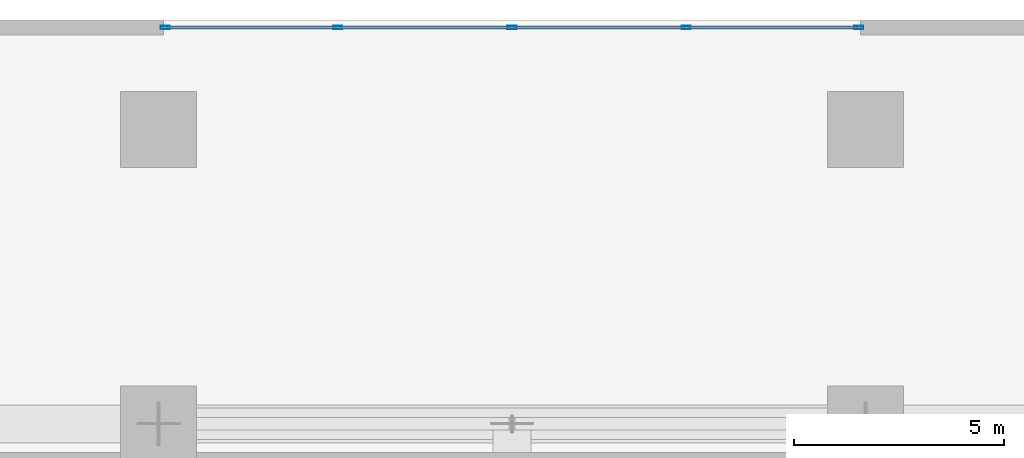
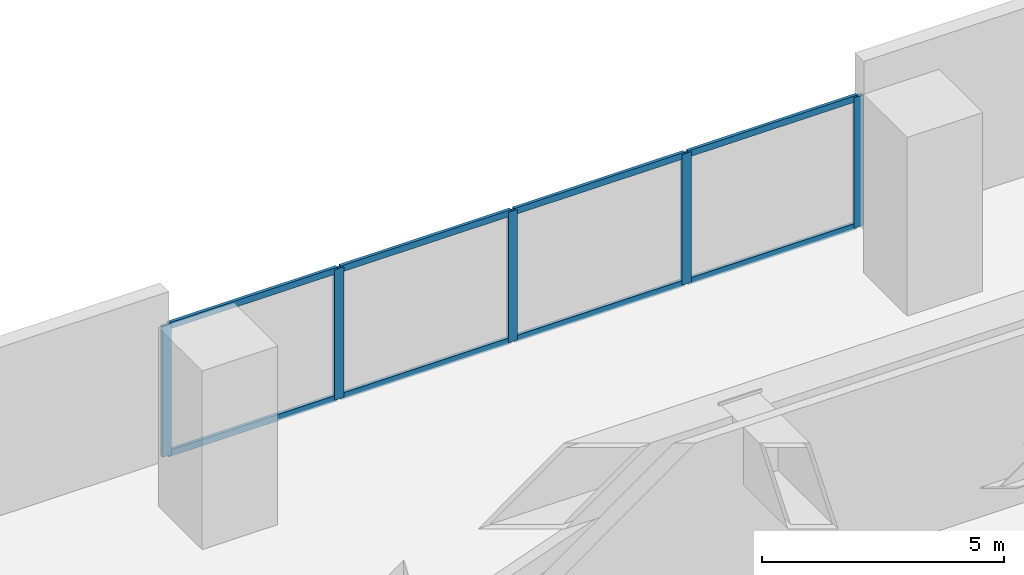
# One storey, part 7 of 25: 13 members, 1 element without a shape of its own.
"""IFC4 building model written with IfcOpenShell, lengths in metres."""

from ifc_helpers import new_model, si_unit, direction, frame, origin, origin_2d, place, context, subcontext, project, spatial, hollow_rectangle, extrude, material, layer, layer_set, material_profile, profile_set, type_object, element, aggregate, save


model = new_model("IFC4")

# Units and contexts
model_context = context("Model", 3, precision=1e-05, world=origin(), true_north=direction((0.0, 1.0)))
body_context = subcontext(model_context, "Body", "Model", "MODEL_VIEW")
ifc_project = project(units=[si_unit("LENGTHUNIT", "METRE"), si_unit("AREAUNIT", "SQUARE_METRE"), si_unit("VOLUMEUNIT", "CUBIC_METRE"), si_unit("PLANEANGLEUNIT", "RADIAN"), si_unit("MASSUNIT", "GRAM", prefix="KILO")], contexts=[model_context])

# Site, building, storey
site_placement = place(None, origin())
site = spatial("IfcSite", under=ifc_project, at=site_placement, CompositionType="ELEMENT")
building_placement = place(site_placement, origin())
building = spatial("IfcBuilding", under=site, at=building_placement, Name="Kiyonajd Concourse Tower", CompositionType="ELEMENT")
storey_placement = place(building_placement, frame((0.0, 0.0, 17.10009765625)))
storey = spatial("IfcBuildingStorey", under=building, at=storey_placement, Name="L05", CompositionType="ELEMENT", Elevation=17.10009765625)

# Curtain wall, members
ifc_material = material(Name="Thermally Broken Anodised Aluminium", Category="aluminium")
ifc_layer = layer(ifc_material, 0.179931640625)
ifc_layer_set = layer_set([ifc_layer], Name="Thermally Broken Anodised Aluminium")
curtain_wall_type = type_object("IfcCurtainWallType", Name="CW-SYS-01", PredefinedType="NOTDEFINED", material=ifc_layer_set)
curtain_wall_placement = place(storey_placement, origin())
curtain_wall = element("IfcCurtainWall", 1, at=curtain_wall_placement, inside=storey, type_object=curtain_wall_type, Name="L05 Unitised Curtain Wall CW1", PredefinedType="NOTDEFINED")
ifc_material_profile_1 = material_profile(ifc_material, hollow_rectangle(XDim=0.074951171875, YDim=0.219970703125, WallThickness=0.0048828125, at=origin_2d()), Name="MULL-75x220")
ifc_profile_set_1 = profile_set([ifc_material_profile_1], Name="Thermally Broken Anodised Aluminium")
member_type_1 = type_object("IfcMemberType", Name="MB-CW-MULL2", PredefinedType="MULLION", material=ifc_profile_set_1)
member_1_placement = place(storey_placement, frame((39.757568359375, 71.820068359375, 0.0), z_axis=(0.0, 0.0, 1.0), x_axis=(0.0, 1.0, 0.0)))
member_1 = element("IfcMember", 2, at=member_1_placement, type_object=member_type_1, Name="CW1 mullion 1", PredefinedType="MULLION", context=body_context, shape_type="SweptSolid", body=[
    extrude(hollow_rectangle(XDim=0.074951171875, YDim=0.219970703125, WallThickness=0.0048828125, at=origin_2d()), origin(), (0.0, 0.0, 1.0), 3.289794921875),
])
member_2_placement = place(storey_placement, frame((43.860107421875, 71.820068359375, 0.0), z_axis=(0.0, 0.0, 1.0), x_axis=(0.0, 1.0, 0.0)))
member_2 = element("IfcMember", 3, at=member_2_placement, type_object=member_type_1, Name="CW1 mullion 2", PredefinedType="MULLION", context=body_context, shape_type="SweptSolid", body=[
    extrude(hollow_rectangle(XDim=0.074951171875, YDim=0.219970703125, WallThickness=0.0048828125, at=origin_2d()), origin(), (0.0, 0.0, 1.0), 3.289794921875),
])
member_3_placement = place(storey_placement, frame((48.0, 71.820068359375, 0.0), z_axis=(0.0, 0.0, 1.0), x_axis=(0.0, 1.0, 0.0)))
member_3 = element("IfcMember", 4, at=member_3_placement, type_object=member_type_1, Name="CW1 mullion 3", PredefinedType="MULLION", context=body_context, shape_type="SweptSolid", body=[
    extrude(hollow_rectangle(XDim=0.074951171875, YDim=0.219970703125, WallThickness=0.0048828125, at=origin_2d()), origin(), (0.0, 0.0, 1.0), 3.289794921875),
])
member_4_placement = place(storey_placement, frame((52.139892578125, 71.820068359375, 0.0), z_axis=(0.0, 0.0, 1.0), x_axis=(0.0, 1.0, 0.0)))
member_4 = element("IfcMember", 5, at=member_4_placement, type_object=member_type_1, Name="CW1 mullion 4", PredefinedType="MULLION", context=body_context, shape_type="SweptSolid", body=[
    extrude(hollow_rectangle(XDim=0.074951171875, YDim=0.219970703125, WallThickness=0.0048828125, at=origin_2d()), origin(), (0.0, 0.0, 1.0), 3.289794921875),
])
member_5_placement = place(storey_placement, frame((56.242431640625, 71.820068359375, 0.0), z_axis=(0.0, 0.0, 1.0), x_axis=(0.0, 1.0, 0.0)))
member_5 = element("IfcMember", 6, at=member_5_placement, type_object=member_type_1, Name="CW1 mullion 5", PredefinedType="MULLION", context=body_context, shape_type="SweptSolid", body=[
    extrude(hollow_rectangle(XDim=0.074951171875, YDim=0.219970703125, WallThickness=0.0048828125, at=origin_2d()), origin(), (0.0, 0.0, 1.0), 3.289794921875),
])
ifc_material_profile_2 = material_profile(ifc_material, hollow_rectangle(XDim=0.074951171875, YDim=0.159912109375, WallThickness=0.0048828125, at=origin_2d()), Name="TRAN-75x160")
ifc_profile_set_2 = profile_set([ifc_material_profile_2], Name="Thermally Broken Anodised Aluminium")
member_type_2 = type_object("IfcMemberType", Name="MB-CW-TRAN2", PredefinedType="USERDEFINED", material=ifc_profile_set_2)
member_6_placement = place(storey_placement, frame((39.794921875, 71.820068359375, 0.037353515625), z_axis=(1.0, 0.0, 0.0), x_axis=(0.0, 1.0, 0.0)))
member_6 = element("IfcMember", 7, at=member_6_placement, type_object=member_type_2, Name="CW1 transom 1.1", ObjectType="TRANSOM", PredefinedType="USERDEFINED", context=body_context, shape_type="SweptSolid", body=[
    extrude(hollow_rectangle(XDim=0.074951171875, YDim=0.159912109375, WallThickness=0.0048828125, at=origin_2d()), origin(), (0.0, 0.0, 1.0), 4.027587890625),
])
member_7_placement = place(storey_placement, frame((39.794921875, 71.820068359375, 3.25244140625), z_axis=(1.0, 0.0, 0.0), x_axis=(0.0, 1.0, 0.0)))
member_7 = element("IfcMember", 8, at=member_7_placement, type_object=member_type_2, Name="CW1 transom 1.2", ObjectType="TRANSOM", PredefinedType="USERDEFINED", context=body_context, shape_type="SweptSolid", body=[
    extrude(hollow_rectangle(XDim=0.074951171875, YDim=0.159912109375, WallThickness=0.0048828125, at=origin_2d()), origin(), (0.0, 0.0, 1.0), 4.027587890625),
])
member_8_placement = place(storey_placement, frame((43.8974609375, 71.820068359375, 0.037353515625), z_axis=(1.0, 0.0, 0.0), x_axis=(0.0, 1.0, 0.0)))
member_8 = element("IfcMember", 9, at=member_8_placement, type_object=member_type_2, Name="CW1 transom 2.1", ObjectType="TRANSOM", PredefinedType="USERDEFINED", context=body_context, shape_type="SweptSolid", body=[
    extrude(hollow_rectangle(XDim=0.074951171875, YDim=0.159912109375, WallThickness=0.0048828125, at=origin_2d()), origin(), (0.0, 0.0, 1.0), 4.06494140625),
])
member_9_placement = place(storey_placement, frame((43.8974609375, 71.820068359375, 3.25244140625), z_axis=(1.0, 0.0, 0.0), x_axis=(0.0, 1.0, 0.0)))
member_9 = element("IfcMember", 10, at=member_9_placement, type_object=member_type_2, Name="CW1 transom 2.2", ObjectType="TRANSOM", PredefinedType="USERDEFINED", context=body_context, shape_type="SweptSolid", body=[
    extrude(hollow_rectangle(XDim=0.074951171875, YDim=0.159912109375, WallThickness=0.0048828125, at=origin_2d()), origin(), (0.0, 0.0, 1.0), 4.06494140625),
])
member_10_placement = place(storey_placement, frame((48.03759765625, 71.820068359375, 0.037353515625), z_axis=(1.0, 0.0, 0.0), x_axis=(0.0, 1.0, 0.0)))
member_10 = element("IfcMember", 11, at=member_10_placement, type_object=member_type_2, Name="CW1 transom 3.1", ObjectType="TRANSOM", PredefinedType="USERDEFINED", context=body_context, shape_type="SweptSolid", body=[
    extrude(hollow_rectangle(XDim=0.074951171875, YDim=0.159912109375, WallThickness=0.0048828125, at=origin_2d()), origin(), (0.0, 0.0, 1.0), 4.06494140625),
])
member_11_placement = place(storey_placement, frame((48.03759765625, 71.820068359375, 3.25244140625), z_axis=(1.0, 0.0, 0.0), x_axis=(0.0, 1.0, 0.0)))
member_11 = element("IfcMember", 12, at=member_11_placement, type_object=member_type_2, Name="CW1 transom 3.2", ObjectType="TRANSOM", PredefinedType="USERDEFINED", context=body_context, shape_type="SweptSolid", body=[
    extrude(hollow_rectangle(XDim=0.074951171875, YDim=0.159912109375, WallThickness=0.0048828125, at=origin_2d()), origin(), (0.0, 0.0, 1.0), 4.06494140625),
])
member_12_placement = place(storey_placement, frame((52.177490234375, 71.820068359375, 0.037353515625), z_axis=(1.0, 0.0, 0.0), x_axis=(0.0, 1.0, 0.0)))
member_12 = element("IfcMember", 13, at=member_12_placement, type_object=member_type_2, Name="CW1 transom 4.1", ObjectType="TRANSOM", PredefinedType="USERDEFINED", context=body_context, shape_type="SweptSolid", body=[
    extrude(hollow_rectangle(XDim=0.074951171875, YDim=0.159912109375, WallThickness=0.0048828125, at=origin_2d()), origin(), (0.0, 0.0, 1.0), 4.027587890625),
])
member_13_placement = place(storey_placement, frame((52.177490234375, 71.820068359375, 3.25244140625), z_axis=(1.0, 0.0, 0.0), x_axis=(0.0, 1.0, 0.0)))
member_13 = element("IfcMember", 14, at=member_13_placement, type_object=member_type_2, Name="CW1 transom 4.2", ObjectType="TRANSOM", PredefinedType="USERDEFINED", context=body_context, shape_type="SweptSolid", body=[
    extrude(hollow_rectangle(XDim=0.074951171875, YDim=0.159912109375, WallThickness=0.0048828125, at=origin_2d()), origin(), (0.0, 0.0, 1.0), 4.027587890625),
])
aggregate(curtain_wall, [member_1, member_2, member_3, member_4, member_5, member_6, member_7, member_8, member_9, member_10, member_11, member_12, member_13])

save(model, "model.ifc")
